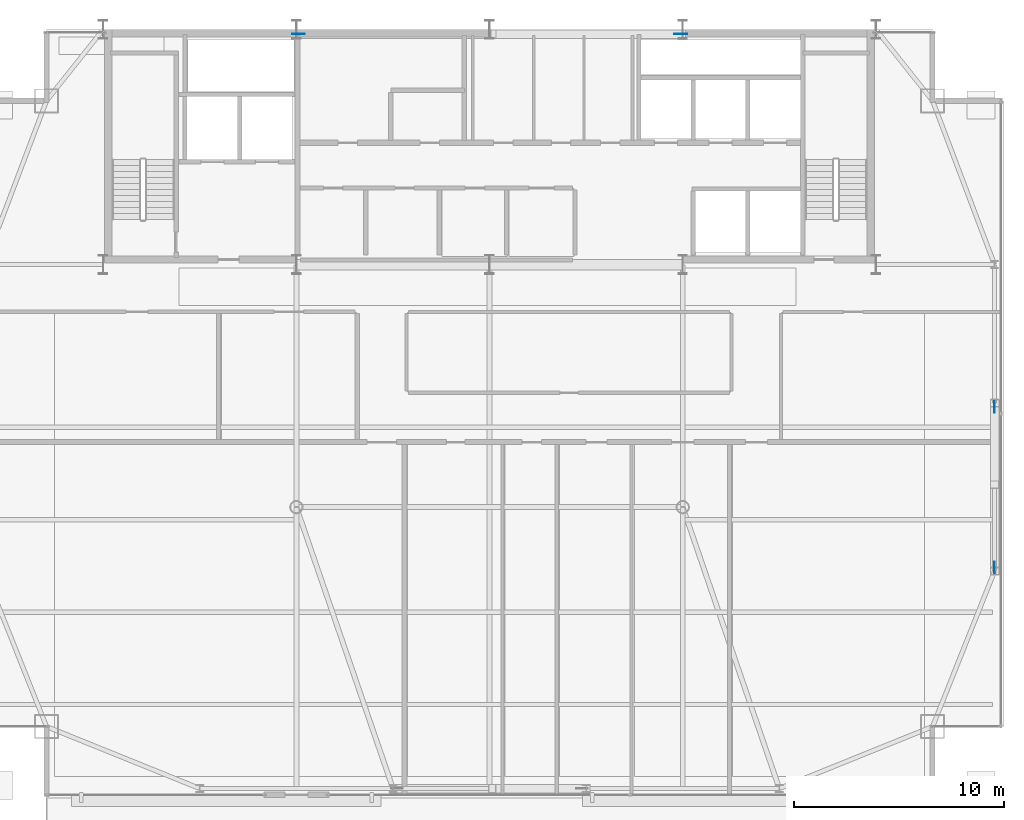
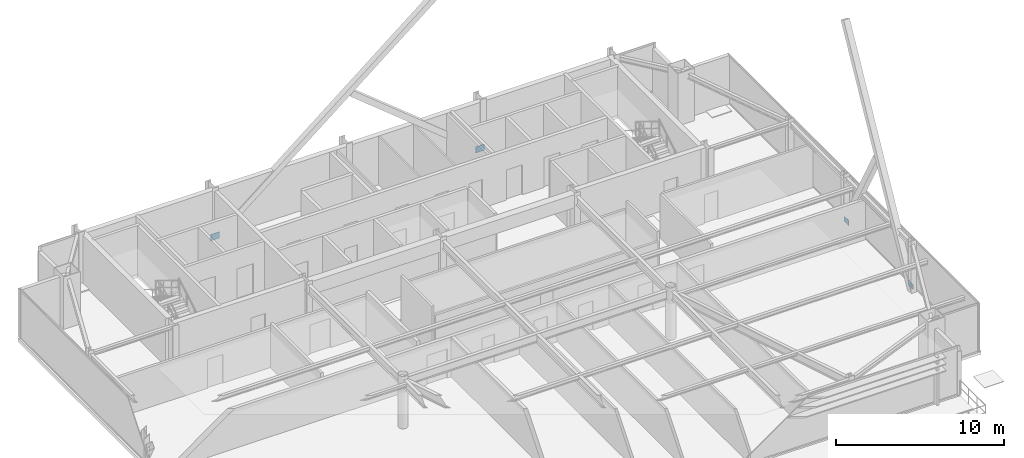
# One storey, part 27 of 33: 4 plates.
"""IFC4 building model written with IfcOpenShell, lengths in metres."""

from ifc_helpers import new_model, si_unit, direction, frame, origin, origin_2d, place, context, subcontext, project, spatial, rectangle, extrude, source, transform, mapped, material, layer, layer_set, type_object, type_shapes, element, save


model = new_model("IFC4")

# Units and contexts
model_context = context("Model", 3, precision=1e-05, world=origin(), true_north=direction((0.0, 1.0)))
body_context = subcontext(model_context, "Body", "Model", "MODEL_VIEW")
ifc_project = project(units=[si_unit("LENGTHUNIT", "METRE"), si_unit("AREAUNIT", "SQUARE_METRE"), si_unit("VOLUMEUNIT", "CUBIC_METRE"), si_unit("PLANEANGLEUNIT", "RADIAN"), si_unit("MASSUNIT", "GRAM", prefix="KILO")], contexts=[model_context])

# Site, building, storey
site_placement = place(None, origin())
site = spatial("IfcSite", under=ifc_project, at=site_placement, CompositionType="ELEMENT")
building_placement = place(site_placement, origin())
building = spatial("IfcBuilding", under=site, at=building_placement, Name="Varnel Quay Broadcast Tower", CompositionType="ELEMENT")
storey_placement = place(building_placement, frame((0.0, 0.0, 199.800048828125)))
storey = spatial("IfcBuildingStorey", under=building, at=storey_placement, Name="L49", CompositionType="ELEMENT", Elevation=199.800048828125)

# Plates
ifc_material = material(Name="Structural Steel CSA G40.21 350WT", Category="steel")
ifc_layer_1 = layer(ifc_material, 0.031982421875, Name="Structural Steel CSA G40.21 350WT")
ifc_layer_set_1 = layer_set([ifc_layer_1], Name="Structural Steel CSA G40.21 350WT")
plate_type_1 = type_object("IfcPlateType", Name="Plate_EndCap", PredefinedType="USERDEFINED", material=ifc_layer_set_1)
shared_shape_1 = source(origin(), body_context, "Body", "SweptSolid", [
    extrude(rectangle(XDim=0.5400390625, YDim=0.031982421875, at=origin_2d()), origin(), (0.0, 0.0, 1.0), 0.3798828125),
])
type_shapes(plate_type_1, [shared_shape_1])
for number, where, z_axis, x_axis, name in (
    (1, (58.050048828125, 21.1796875, 0.164794921875), (0.0, 0.0, 1.0), (0.0, 1.0, 0.0), "Zone 4 Mega-Brace E-FT1 Diag A End Connection Plate P0"),
    (2, (58.050048828125, 28.8203125, 0.164794921875), (0.0, 0.0, 1.0), (0.0, 1.0, 0.0), "Zone 4 Mega-Brace E-FT1 Diag B1 End Connection Plate P0"),
):
    element("IfcPlate", number, at=place(storey_placement, frame(where, z_axis=z_axis, x_axis=x_axis)), inside=storey, type_object=plate_type_1, Name=name, ObjectType="CAP_PLATE", PredefinedType="USERDEFINED", context=body_context, shape_type="MappedRepresentation", body=[
        mapped(shared_shape_1, transform((0.0, 0.0, 0.0), x_axis=(1.0, 0.0, 0.0), y_axis=(0.0, 1.0, 0.0), z_axis=(0.0, 0.0, 1.0), scale=1.0)),
    ])
ifc_layer_2 = layer(ifc_material, 0.0400390625, Name="Structural Steel CSA G40.21 350WT")
ifc_layer_set_2 = layer_set([ifc_layer_2], Name="Structural Steel CSA G40.21 350WT")
plate_type_2 = type_object("IfcPlateType", Name="Plate_EmbedPlate", PredefinedType="USERDEFINED", material=ifc_layer_set_2)
shared_shape_2 = source(origin(), body_context, "Body", "SweptSolid", [
    extrude(rectangle(XDim=0.60009765625, YDim=0.0400390625, at=origin_2d()), origin(), (0.0, 0.0, 1.0), 0.449951171875),
])
type_shapes(plate_type_2, [shared_shape_2])
for number, where, z_axis, x_axis, name in (
    (3, (24.893310546875, 46.580078125, -0.12939453125), (0.0, 0.0, 1.0), (1.0, 0.0, 0.0), "Zone 4 Mega-Brace N-CT1 Diag A Wall Cast-In Embed Plate P0"),
    (4, (43.106689453125, 46.580078125, -0.12939453125), (0.0, 0.0, 1.0), (1.0, 0.0, 0.0), "Zone 4 Mega-Brace N-CT1 Diag B1 Wall Cast-In Embed Plate P0"),
):
    element("IfcPlate", number, at=place(storey_placement, frame(where, z_axis=z_axis, x_axis=x_axis)), inside=storey, type_object=plate_type_2, Name=name, ObjectType="EMBED_PLATE", PredefinedType="USERDEFINED", context=body_context, shape_type="MappedRepresentation", body=[
        mapped(shared_shape_2, transform((0.0, 0.0, 0.0), x_axis=(1.0, 0.0, 0.0), y_axis=(0.0, 1.0, 0.0), z_axis=(0.0, 0.0, 1.0), scale=1.0)),
    ])

save(model, "model.ifc")
